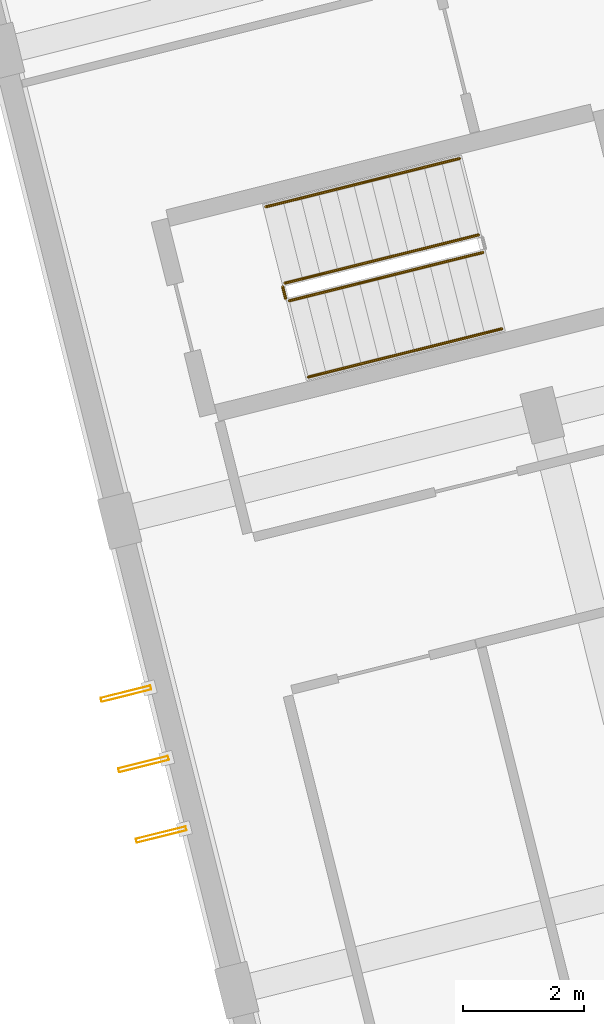
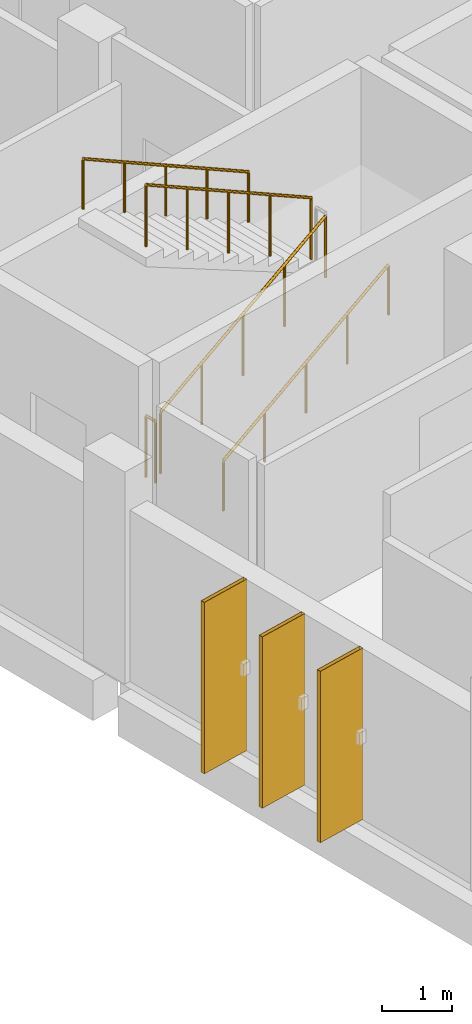
# One storey, part 19 of 21: 5 railings, 3 shading devices.
"""IFC4 building model written with IfcOpenShell, lengths in metres."""

from ifc_helpers import new_model, si_unit, direction, frame, origin, origin_2d, place, context, subcontext, project, spatial, hollow_rectangle, circle, extrude, material, material_profile, profile_set, type_object, element, save


model = new_model("IFC4")

# Units and contexts
model_context = context("Model", 3, precision=1e-05, world=origin(), true_north=direction((0.0, 1.0)))
body_context = subcontext(model_context, "Body", "Model", "MODEL_VIEW")
ifc_project = project(units=[si_unit("LENGTHUNIT", "METRE"), si_unit("AREAUNIT", "SQUARE_METRE"), si_unit("VOLUMEUNIT", "CUBIC_METRE"), si_unit("PLANEANGLEUNIT", "RADIAN"), si_unit("MASSUNIT", "GRAM", prefix="KILO")], contexts=[model_context])

# Site, building, storey
site_placement = place(None, origin())
site = spatial("IfcSite", under=ifc_project, at=site_placement, CompositionType="ELEMENT")
building_placement = place(site_placement, origin())
building = spatial("IfcBuilding", under=site, at=building_placement, Name="Mawjan Specialist Oncology Clinic", CompositionType="ELEMENT")
storey_placement = place(building_placement, frame((0.0, 0.0, 13.5)))
storey = spatial("IfcBuildingStorey", under=building, at=storey_placement, Name="L03", CompositionType="ELEMENT", Elevation=13.5)

# Railings
ifc_material_1 = material(Name="Powder-coated steel stair guard with vertical infill pickets", Category="steel")
railing_type_1 = type_object("IfcRailingType", Name="GR-110", PredefinedType="GUARDRAIL", material=ifc_material_1)
railing_1_placement = place(storey_placement, frame((124.932861328125, 19.9609375, 0.166748046875)))
element("IfcRailing", 1, at=railing_1_placement, inside=storey, type_object=railing_type_1, Name="L03 ST-05 stair guard 1", PredefinedType="GUARDRAIL", context=body_context, shape_type="SweptSolid", body=[
    extrude(circle(Radius=0.02392578125, at=origin_2d()), frame((0.0, 0.0, 1.076171875), z_axis=(0.848194742127, 0.211482791213, 0.485634336152), x_axis=(-0.24192630068, 0.970294627956, 0.0)), (0.0, 0.0, 1.0), 3.77490234375),
    extrude(circle(Radius=0.02099609375, at=origin_2d()), origin(), (0.0, 0.0, 1.0), 1.052001953125),
    extrude(circle(Radius=0.02099609375, at=origin_2d()), frame((0.800537109375, 0.19970703125, 0.458251953125)), (0.0, 0.0, 1.0), 1.052001953125),
    extrude(circle(Radius=0.02099609375, at=origin_2d()), frame((1.60107421875, 0.399169921875, 0.91650390625)), (0.0, 0.0, 1.0), 1.052001953125),
    extrude(circle(Radius=0.02099609375, at=origin_2d()), frame((2.4013671875, 0.5986328125, 1.375)), (0.0, 0.0, 1.0), 1.052001953125),
    extrude(circle(Radius=0.02099609375, at=origin_2d()), frame((3.201904296875, 0.79833984375, 1.833251953125)), (0.0, 0.0, 1.0), 1.052001953125),
])
railing_2_placement = place(storey_placement, frame((128.062255859375, 21.050537109375, 2.166748046875)))
element("IfcRailing", 2, at=railing_2_placement, inside=storey, type_object=railing_type_1, Name="L03 ST-05 stair guard 3", PredefinedType="GUARDRAIL", context=body_context, shape_type="SweptSolid", body=[
    extrude(circle(Radius=0.02392578125, at=origin_2d()), frame((0.0, 0.0, 1.076171875), z_axis=(-0.848194742127, -0.211482791213, 0.485634336152), x_axis=(0.24192630068, -0.970294627956, 0.0)), (0.0, 0.0, 1.0), 3.77490234375),
    extrude(circle(Radius=0.02099609375, at=origin_2d()), origin(), (0.0, 0.0, 1.0), 1.052001953125),
    extrude(circle(Radius=0.02099609375, at=origin_2d()), frame((-0.800537109375, -0.19970703125, 0.458251953125)), (0.0, 0.0, 1.0), 1.052001953125),
    extrude(circle(Radius=0.02099609375, at=origin_2d()), frame((-1.60107421875, -0.399169921875, 0.91650390625)), (0.0, 0.0, 1.0), 1.052001953125),
    extrude(circle(Radius=0.02099609375, at=origin_2d()), frame((-2.4013671875, -0.5986328125, 1.375)), (0.0, 0.0, 1.0), 1.052001953125),
    extrude(circle(Radius=0.02099609375, at=origin_2d()), frame((-3.201904296875, -0.79833984375, 1.833251953125)), (0.0, 0.0, 1.0), 1.052001953125),
])
railing_3_placement = place(storey_placement, frame((124.872314453125, 19.997314453125, 0.0)))
element("IfcRailing", 3, at=railing_3_placement, inside=storey, type_object=railing_type_1, Name="L03 ST-05 stair guard 4", PredefinedType="GUARDRAIL", context=body_context, shape_type="SweptSolid", body=[
    extrude(circle(Radius=0.02392578125, at=origin_2d()), frame((0.0, 0.0, 1.076171875), z_axis=(-0.242822723755, 0.970070680326, 0.0), x_axis=(-0.970070680326, -0.242822723755, 0.0)), (0.0, 0.0, 1.0), 0.2001953125),
    extrude(circle(Radius=0.02099609375, at=origin_2d()), origin(), (0.0, 0.0, 1.0), 1.052001953125),
    extrude(circle(Radius=0.02099609375, at=origin_2d()), frame((-0.048583984375, 0.194091796875, 0.0)), (0.0, 0.0, 1.0), 1.052001953125),
])
ifc_material_2 = material(Name="Brushed stainless-steel tubular handrail", Category="steel")
railing_type_2 = type_object("IfcRailingType", Name="HR-090", PredefinedType="HANDRAIL", material=ifc_material_2)
railing_4_placement = place(storey_placement, frame((125.247314453125, 18.69970703125, 0.166748046875)))
element("IfcRailing", 4, at=railing_4_placement, inside=storey, type_object=railing_type_2, Name="L03 ST-05 stair handrail 1", PredefinedType="HANDRAIL", context=body_context, shape_type="SweptSolid", body=[
    extrude(circle(Radius=0.02392578125, at=origin_2d()), frame((0.0, 0.0, 0.8759765625), z_axis=(0.848194742127, 0.211482791213, 0.485634336152), x_axis=(-0.24192630068, 0.970294627956, 0.0)), (0.0, 0.0, 1.0), 3.77490234375),
    extrude(circle(Radius=0.02099609375, at=origin_2d()), origin(), (0.0, 0.0, 1.0), 0.851806640625),
    extrude(circle(Radius=0.02099609375, at=origin_2d()), frame((0.800537109375, 0.19970703125, 0.458251953125)), (0.0, 0.0, 1.0), 0.851806640625),
    extrude(circle(Radius=0.02099609375, at=origin_2d()), frame((1.60107421875, 0.399169921875, 0.91650390625)), (0.0, 0.0, 1.0), 0.851806640625),
    extrude(circle(Radius=0.02099609375, at=origin_2d()), frame((2.4013671875, 0.5986328125, 1.375)), (0.0, 0.0, 1.0), 0.851806640625),
    extrude(circle(Radius=0.02099609375, at=origin_2d()), frame((3.201904296875, 0.79833984375, 1.833251953125)), (0.0, 0.0, 1.0), 0.851806640625),
])
railing_5_placement = place(storey_placement, frame((127.747802734375, 22.311767578125, 2.166748046875)))
element("IfcRailing", 5, at=railing_5_placement, inside=storey, type_object=railing_type_2, Name="L03 ST-05 stair handrail 2", PredefinedType="HANDRAIL", context=body_context, shape_type="SweptSolid", body=[
    extrude(circle(Radius=0.02392578125, at=origin_2d()), frame((0.0, 0.0, 0.8759765625), z_axis=(-0.848212885837, -0.211471190659, 0.485607697449), x_axis=(0.241908934998, -0.970298957625, 0.0)), (0.0, 0.0, 1.0), 3.775146484375),
    extrude(circle(Radius=0.02099609375, at=origin_2d()), origin(), (0.0, 0.0, 1.0), 0.851806640625),
    extrude(circle(Radius=0.02099609375, at=origin_2d()), frame((-0.800537109375, -0.19970703125, 0.458251953125)), (0.0, 0.0, 1.0), 0.851806640625),
    extrude(circle(Radius=0.02099609375, at=origin_2d()), frame((-1.60107421875, -0.399169921875, 0.91650390625)), (0.0, 0.0, 1.0), 0.851806640625),
    extrude(circle(Radius=0.02099609375, at=origin_2d()), frame((-2.401611328125, -0.5986328125, 1.375)), (0.0, 0.0, 1.0), 0.851806640625),
    extrude(circle(Radius=0.02099609375, at=origin_2d()), frame((-3.2021484375, -0.79833984375, 1.833251953125)), (0.0, 0.0, 1.0), 0.851806640625),
])

# Shading devices
ifc_material_3 = material(Name="Bronze-anodised aluminium 6063-T6", Category="aluminium")
ifc_material_profile = material_profile(ifc_material_3, hollow_rectangle(XDim=0.070068359375, YDim=0.85009765625, WallThickness=0.0048828125, at=origin_2d()), Name="FIN 850x70x5", Category="aluminium")
ifc_profile_set = profile_set([ifc_material_profile], Name="Bronze-anodised aluminium 6063-T6")
shading_device_type = type_object("IfcShadingDeviceType", Name="SF-850", PredefinedType="USERDEFINED", material=ifc_profile_set)
for number, where, z_axis, x_axis, name in (
    (6, (122.814697265625, 11.136474609375, 0.0), (0.0, 0.0, 1.0), (-0.2419218956, 0.970295726276, 0.0), "L03 Vertical Solar Fin SF-0061"),
    (7, (122.5244140625, 12.30078125, 0.0), (0.0, 0.0, 1.0), (-0.2419218956, 0.970295726276, 0.0), "L03 Vertical Solar Fin SF-0062"),
    (8, (122.234130859375, 13.465087890625, 0.0), (0.0, 0.0, 1.0), (-0.2419218956, 0.970295726276, 0.0), "L03 Vertical Solar Fin SF-0063"),
):
    element("IfcShadingDevice", number, at=place(storey_placement, frame(where, z_axis=z_axis, x_axis=x_axis)), inside=storey, type_object=shading_device_type, Name=name, ObjectType="SOLAR FIN", PredefinedType="USERDEFINED", context=body_context, shape_type="SweptSolid", body=[
        extrude(hollow_rectangle(XDim=0.070068359375, YDim=0.85009765625, WallThickness=0.0048828125, at=origin_2d()), origin(), (0.0, 0.0, 1.0), 3.0048828125),
    ])

save(model, "model.ifc")
